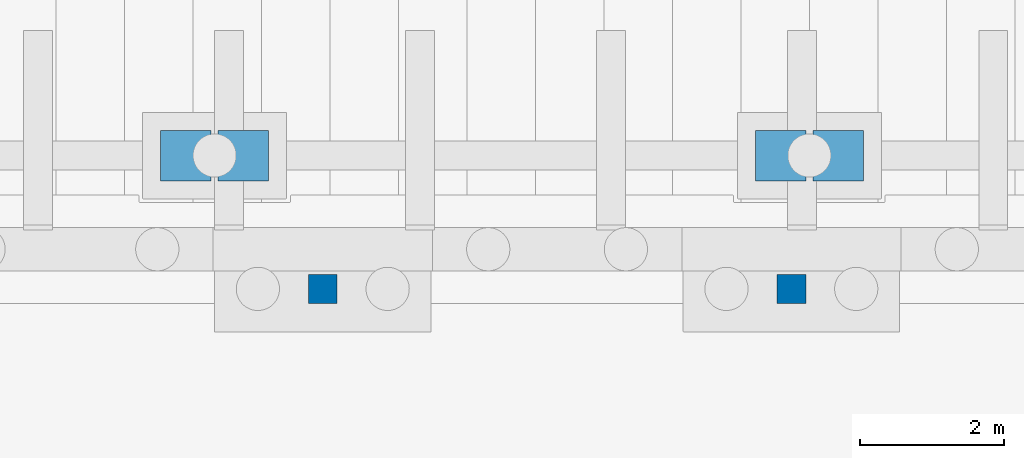
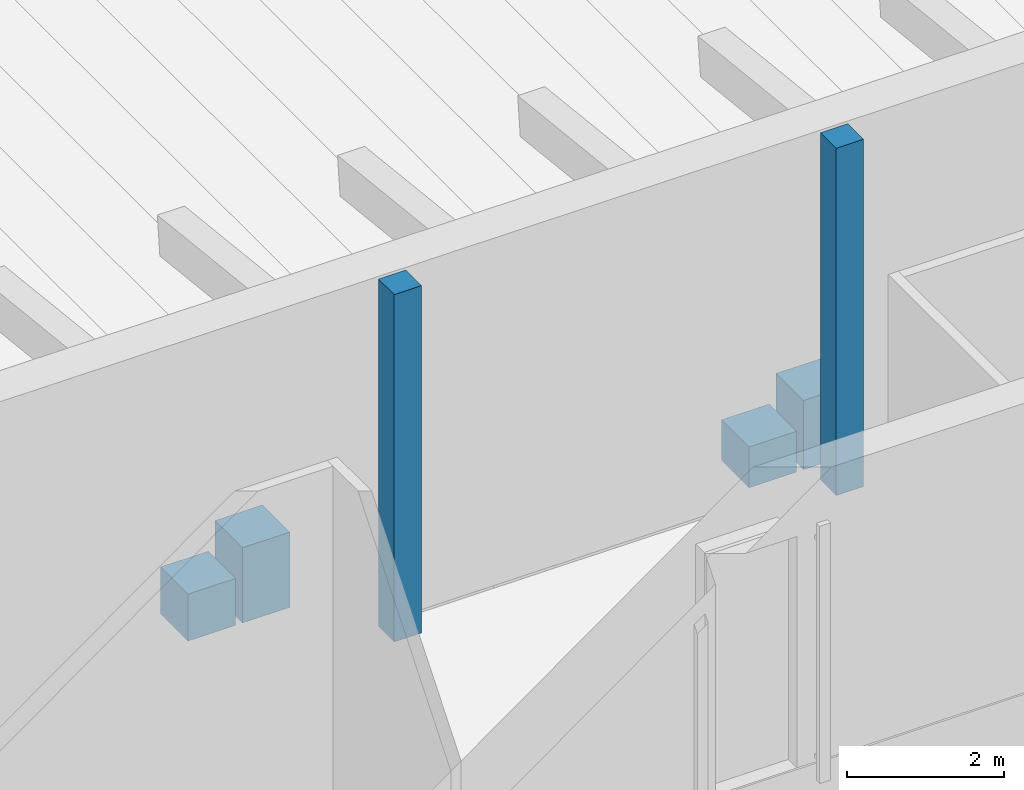
# One storey, part 19 of 127: 6 columns.
"""IFC4 building model written with IfcOpenShell, lengths in metres."""

from ifc_helpers import new_model, si_unit, direction, frame, origin, origin_2d, place, context, subcontext, project, spatial, rectangle, extrude, material, material_profile, profile_set, type_object, element, save


model = new_model("IFC4")

# Units and contexts
model_context = context("Model", 3, precision=1e-05, world=origin(), true_north=direction((0.0, 1.0)))
body_context = subcontext(model_context, "Body", "Model", "MODEL_VIEW")
ifc_project = project(units=[si_unit("LENGTHUNIT", "METRE"), si_unit("AREAUNIT", "SQUARE_METRE"), si_unit("VOLUMEUNIT", "CUBIC_METRE"), si_unit("PLANEANGLEUNIT", "RADIAN"), si_unit("MASSUNIT", "GRAM", prefix="KILO")], contexts=[model_context])

# Site, building, storey
site_placement = place(None, origin())
site = spatial("IfcSite", under=ifc_project, at=site_placement, CompositionType="ELEMENT")
building_placement = place(site_placement, origin())
building = spatial("IfcBuilding", under=site, at=building_placement, Name="Ljudholm Concert House", CompositionType="ELEMENT")
storey_placement = place(building_placement, origin())
storey = spatial("IfcBuildingStorey", under=building, at=storey_placement, Name="L00", CompositionType="ELEMENT", Elevation=0.0)

# Columns
ifc_material_1 = material(Name="Concrete 6,500 psi", Category="concrete")
ifc_material_profile_1 = material_profile(ifc_material_1, rectangle(XDim=0.39990234375, YDim=0.39990234375, at=origin_2d()), Name="RC COLUMN 400x400")
ifc_profile_set_1 = profile_set([ifc_material_profile_1], Name="Concrete 6,500 psi")
column_type_1 = type_object("IfcColumnType", Name="RC COLUMN 400x400", PredefinedType="COLUMN", material=ifc_profile_set_1)
for number, where, z_axis, x_axis, name in (
    (1, (57.0, 60.449951171875, 0.0), (0.0, 0.0, 1.0), (1.0, 0.0, 0.0), "Ring column"),
    (2, (63.5, 60.449951171875, 0.0), (0.0, 0.0, 1.0), (1.0, 0.0, 0.0), "Ring column"),
):
    element("IfcColumn", number, at=place(storey_placement, frame(where, z_axis=z_axis, x_axis=x_axis)), inside=storey, type_object=column_type_1, Name=name, PredefinedType="COLUMN", context=body_context, shape_type="SweptSolid", body=[
        extrude(rectangle(XDim=0.39990234375, YDim=0.39990234375, at=origin_2d()), origin(), (0.0, 0.0, 1.0), 5.39990234375),
    ])
ifc_material_2 = material(Name="Concrete 6,500 psi", Category="concrete")
ifc_material_profile_2 = material_profile(ifc_material_2, rectangle(XDim=0.699951171875, YDim=0.699951171875, at=origin_2d()), Name="RC COLUMN 700x700")
ifc_profile_set_2 = profile_set([ifc_material_profile_2], Name="Concrete 6,500 psi")
column_type_2 = type_object("IfcColumnType", Name="RC COLUMN 700x700", PredefinedType="COLUMN", material=ifc_profile_set_2)
column_1_placement = place(storey_placement, frame((55.10009765625, 62.300048828125, -0.300048828125), z_axis=(0.0, 0.0, 1.0), x_axis=(1.0, 0.0, 0.0)))
element("IfcColumn", 3, at=column_1_placement, inside=storey, type_object=column_type_2, Name="Column pedestal", PredefinedType="COLUMN", context=body_context, shape_type="SweptSolid", body=[
    extrude(rectangle(XDim=0.699951171875, YDim=0.699951171875, at=origin_2d()), origin(), (0.0, 0.0, 1.0), 0.729248046875),
])
column_2_placement = place(storey_placement, frame((55.89990234375, 62.300048828125, -0.300048828125), z_axis=(0.0, 0.0, 1.0), x_axis=(1.0, 0.0, 0.0)))
element("IfcColumn", 4, at=column_2_placement, inside=storey, type_object=column_type_2, Name="Column pedestal", PredefinedType="COLUMN", context=body_context, shape_type="SweptSolid", body=[
    extrude(rectangle(XDim=0.699951171875, YDim=0.699951171875, at=origin_2d()), origin(), (0.0, 0.0, 1.0), 1.1708984375),
])
column_3_placement = place(storey_placement, frame((63.35009765625, 62.300048828125, -0.804931640625), z_axis=(0.0, 0.0, 1.0), x_axis=(1.0, 0.0, 0.0)))
element("IfcColumn", 5, at=column_3_placement, inside=storey, type_object=column_type_2, Name="Column pedestal", PredefinedType="COLUMN", context=body_context, shape_type="SweptSolid", body=[
    extrude(rectangle(XDim=0.699951171875, YDim=0.699951171875, at=origin_2d()), origin(), (0.0, 0.0, 1.0), 0.634033203125),
])
column_4_placement = place(storey_placement, frame((64.14990234375, 62.300048828125, -0.804931640625), z_axis=(0.0, 0.0, 1.0), x_axis=(1.0, 0.0, 0.0)))
element("IfcColumn", 6, at=column_4_placement, inside=storey, type_object=column_type_2, Name="Column pedestal", PredefinedType="COLUMN", context=body_context, shape_type="SweptSolid", body=[
    extrude(rectangle(XDim=0.699951171875, YDim=0.699951171875, at=origin_2d()), origin(), (0.0, 0.0, 1.0), 1.075927734375),
])

save(model, "model.ifc")
